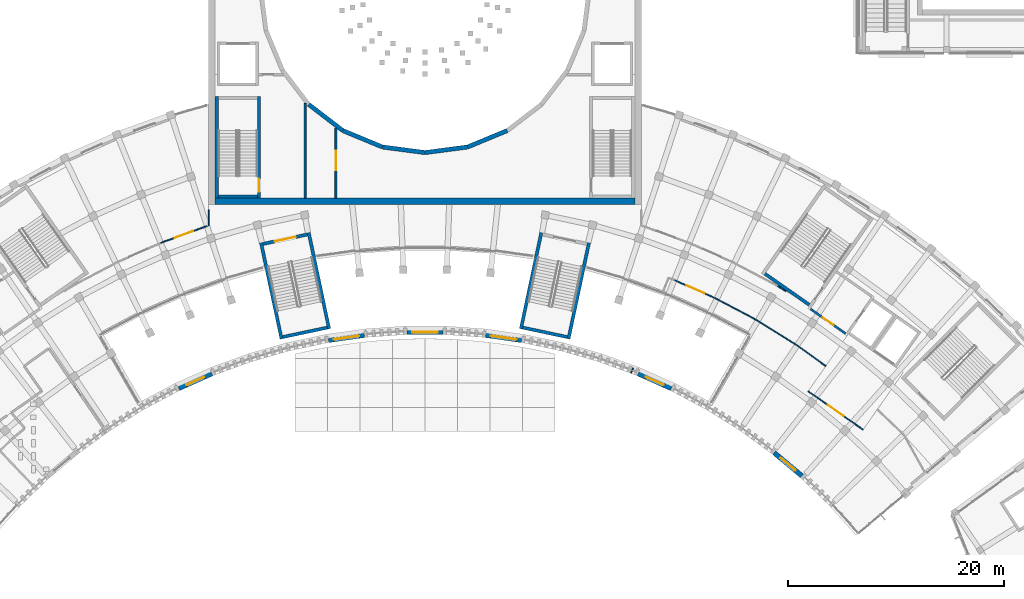
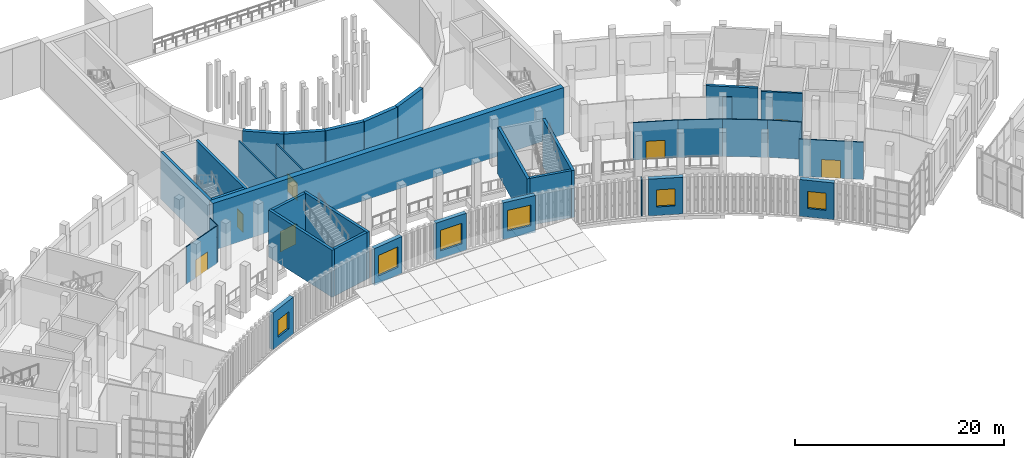
# One storey, part 55 of 112: 35 walls, 7 doors, 6 windows, 13 openings.
"""IFC4 building model written with IfcOpenShell, lengths in metres."""

from ifc_helpers import new_model, si_unit, direction, frame, frame_2d, origin, place, context, subcontext, project, spatial, rectangle, extrude, material, layer, layer_set, type_object, element, fill, save


model = new_model("IFC4")

# Units and contexts
model_context = context("Model", 3, precision=1e-05, world=origin(), true_north=direction((0.0, 1.0)))
body_context = subcontext(model_context, "Body", "Model", "MODEL_VIEW")
ifc_project = project(units=[si_unit("LENGTHUNIT", "METRE"), si_unit("AREAUNIT", "SQUARE_METRE"), si_unit("VOLUMEUNIT", "CUBIC_METRE"), si_unit("PLANEANGLEUNIT", "RADIAN"), si_unit("MASSUNIT", "GRAM", prefix="KILO")], contexts=[model_context])

# Site, building, storey
site_placement = place(None, origin())
site = spatial("IfcSite", under=ifc_project, at=site_placement, CompositionType="ELEMENT")
building_placement = place(site_placement, origin())
building = spatial("IfcBuilding", under=site, at=building_placement, Name="Lunette Opera House", CompositionType="ELEMENT")
storey_placement = place(building_placement, frame((0.0, 0.0, 6.0)))
storey = spatial("IfcBuildingStorey", under=building, at=storey_placement, Name="L01", CompositionType="ELEMENT", Elevation=6.0)

# Wall
ifc_material_1 = material(Name="Plastered clay blockwork", Category="masonry")
ifc_layer_1 = layer(ifc_material_1, 0.175048828125)
ifc_layer_set_1 = layer_set([ifc_layer_1], Name="Plastered clay blockwork")
wall_type_1 = type_object("IfcWallType", Name="ACOUSTIC BLOCK PARTITION 175", PredefinedType="PARTITIONING", material=ifc_layer_set_1)
wall_1_placement = place(storey_placement, frame((84.9150390625, 64.60009765625, 0.0), z_axis=(0.0, 0.0, 1.0), x_axis=(0.0, 1.0, 0.0)))
element("IfcWall", 1, at=wall_1_placement, inside=storey, type_object=wall_type_1, Name="Partition Auditorium Control Room", PredefinedType="PARTITIONING", context=body_context, shape_type="SweptSolid", body=[
    extrude(rectangle(XDim=8.7568359375, YDim=0.175048828125, at=frame_2d((4.37841796875, 0.0))), origin(), (0.0, 0.0, 1.0), 4.300048828125),
])

# Wall, opening, door
wall_2_placement = place(storey_placement, frame((87.763916015625, 64.60009765625, 0.0), z_axis=(0.0, 0.0, 1.0), x_axis=(0.0, 1.0, 0.0)))
wall_2 = element("IfcWall", 2, at=wall_2_placement, inside=storey, type_object=wall_type_1, Name="Partition Stalls Gallery Foyer Rear", PredefinedType="PARTITIONING", context=body_context, shape_type="SweptSolid", body=[
    extrude(rectangle(XDim=6.468994140625, YDim=0.175048828125, at=frame_2d((3.234375, 0.0))), origin(), (0.0, 0.0, 1.0), 4.300048828125),
])
opening_1_placement = place(wall_2_placement, frame((2.5869140625, 0.0, 0.0)))
opening_1 = element("IfcOpeningElement", 3, at=opening_1_placement, cuts=wall_2, Name="Opening AU-D3007", PredefinedType="OPENING", context=body_context, shape_type="SweptSolid", body=[
    extrude(rectangle(XDim=1.800048828125, YDim=2.10009765625, at=frame_2d((0.89990234375, 1.050048828125))), frame((0.0, 0.099609375, 0.0), z_axis=(0.0, -1.0, 0.0), x_axis=(1.0, 0.0, 0.0)), (0.0, 0.0, 1.0), 0.198974609375),
])
ifc_material_2 = material(Name="Timber", Category="wood")
door_type_1 = type_object("IfcDoorType", Name="SOUND LOCK DOOR 1800 X 2100", OperationType="DOUBLE_DOOR_SINGLE_SWING", PredefinedType="DOOR", material=ifc_material_2)
door_1_placement = place(opening_1_placement, origin())
door_1 = element("IfcDoor", 4, at=door_1_placement, inside=storey, type_object=door_type_1, Name="Side Boxes Lower door", OperationType="DOUBLE_DOOR_SINGLE_SWING", OverallHeight=2.10009765625, OverallWidth=1.800048828125, PredefinedType="DOOR", context=body_context, shape_type="SweptSolid", body=[
    extrude(rectangle(XDim=1.800048828125, YDim=2.10009765625, at=frame_2d((0.89990234375, 1.050048828125))), frame((0.0, 0.02490234375, 0.0), z_axis=(0.0, -1.0, 0.0), x_axis=(1.0, 0.0, 0.0)), (0.0, 0.0, 1.0), 0.050048828125),
])
fill(opening_1, door_1)

# Wall, opening, window
ifc_material_3 = material(Name="Clinker brick", Category="masonry")
ifc_layer_2 = layer(ifc_material_3, 0.449951171875)
ifc_layer_set_2 = layer_set([ifc_layer_2], Name="Clinker brick")
wall_type_2 = type_object("IfcWallType", Name="ENTRANCE PORTAL WALL 450", PredefinedType="SOLIDWALL", material=ifc_layer_set_2)
wall_3_placement = place(storey_placement, frame((73.240966796875, 47.0048828125, 0.0), z_axis=(0.0, 0.0, 1.0), x_axis=(0.913501326736, 0.406835748247, 0.0)))
wall_3 = element("IfcWall", 5, at=wall_3_placement, inside=storey, type_object=wall_type_2, Name="Entrance Portal Wall 450 PW4 L01", PredefinedType="SOLIDWALL", context=body_context, shape_type="SweptSolid", body=[
    extrude(rectangle(XDim=3.345458984375, YDim=0.449951171875, at=frame_2d((1.6728515625, 0.0))), origin(), (0.0, 0.0, 1.0), 4.300048828125),
])
opening_2_placement = place(wall_3_placement, frame((0.77294921875, 0.0, 1.0)))
opening_2 = element("IfcOpeningElement", 6, at=opening_2_placement, cuts=wall_3, Name="Opening FC-N2071", PredefinedType="OPENING", context=body_context, shape_type="SweptSolid", body=[
    extrude(rectangle(XDim=1.800048828125, YDim=2.0, at=frame_2d((0.89990234375, 1.0))), frame((0.0, 0.237060546875, 0.0), z_axis=(0.0, -1.0, 0.0), x_axis=(1.0, 0.0, 0.0)), (0.0, 0.0, 1.0), 0.473876953125),
])
ifc_material_4 = material(Name="Aluminium", Category="aluminium")
window_type_1 = type_object("IfcWindowType", Name="FANLIGHT 1800 X 2000", PartitioningType="SINGLE_PANEL", PredefinedType="WINDOW", material=ifc_material_4)
window_1_placement = place(opening_2_placement, origin())
window_1 = element("IfcWindow", 7, at=window_1_placement, inside=storey, type_object=window_type_1, Name="Fanlight 1800 X 2000 PW4 L01", OverallHeight=2.0, OverallWidth=1.800048828125, PartitioningType="SINGLE_PANEL", PredefinedType="WINDOW", context=body_context, shape_type="SweptSolid", body=[
    extrude(rectangle(XDim=1.800048828125, YDim=2.0, at=frame_2d((0.89990234375, 1.0))), frame((0.0, 0.030029296875, 0.0), z_axis=(0.0, -1.0, 0.0), x_axis=(1.0, 0.0, 0.0)), (0.0, 0.0, 1.0), 0.06005859375),
])
fill(opening_2, window_1)

wall_4_placement = place(storey_placement, frame((87.0791015625, 51.45703125, 0.0), z_axis=(0.0, 0.0, 1.0), x_axis=(0.9902493448, 0.13930626376, 0.0)))
wall_4 = element("IfcWall", 8, at=wall_4_placement, inside=storey, type_object=wall_type_2, Name="Entrance Portal Wall 450 PW2 L01", PredefinedType="SOLIDWALL", context=body_context, shape_type="SweptSolid", body=[
    extrude(rectangle(XDim=3.345703125, YDim=0.449951171875, at=frame_2d((1.6728515625, 0.0))), origin(), (0.0, 0.0, 1.0), 4.300048828125),
])
opening_3_placement = place(wall_4_placement, frame((0.472900390625, 0.0, 0.89990234375)))
opening_3 = element("IfcOpeningElement", 9, at=opening_3_placement, cuts=wall_4, Name="Opening FC-N2072", PredefinedType="OPENING", context=body_context, shape_type="SweptSolid", body=[
    extrude(rectangle(XDim=2.39990234375, YDim=2.39990234375, at=frame_2d((1.199951171875, 1.199951171875))), frame((0.0, 0.237060546875, 0.0), z_axis=(0.0, -1.0, 0.0), x_axis=(1.0, 0.0, 0.0)), (0.0, 0.0, 1.0), 0.473876953125),
])
ifc_material_5 = material(Name="Aluminium", Category="aluminium")
window_type_2 = type_object("IfcWindowType", Name="FANLIGHT 2400 X 2400", PartitioningType="SINGLE_PANEL", PredefinedType="WINDOW", material=ifc_material_5)
window_2_placement = place(opening_3_placement, origin())
window_2 = element("IfcWindow", 10, at=window_2_placement, inside=storey, type_object=window_type_2, Name="Fanlight 2400 X 2400 PW2 L01", OverallHeight=2.39990234375, OverallWidth=2.39990234375, PartitioningType="SINGLE_PANEL", PredefinedType="WINDOW", context=body_context, shape_type="SweptSolid", body=[
    extrude(rectangle(XDim=2.39990234375, YDim=2.39990234375, at=frame_2d((1.199951171875, 1.199951171875))), frame((0.0, 0.030029296875, 0.0), z_axis=(0.0, -1.0, 0.0), x_axis=(1.0, 0.0, 0.0)), (0.0, 0.0, 1.0), 0.06005859375),
])
fill(opening_3, window_2)

wall_5_placement = place(storey_placement, frame((94.326904296875, 52.197998046875, 0.0), z_axis=(0.0, 0.0, 1.0), x_axis=(1.0, 0.0, 0.0)))
wall_5 = element("IfcWall", 11, at=wall_5_placement, inside=storey, type_object=wall_type_2, Name="Entrance Portal Wall 450 PW1 L01", PredefinedType="SOLIDWALL", context=body_context, shape_type="SweptSolid", body=[
    extrude(rectangle(XDim=3.34619140625, YDim=0.449951171875, at=frame_2d((1.673095703125, 0.0))), origin(), (0.0, 0.0, 1.0), 4.300048828125),
])
opening_4_placement = place(wall_5_placement, frame((0.472900390625, 0.0, 0.89990234375)))
opening_4 = element("IfcOpeningElement", 12, at=opening_4_placement, cuts=wall_5, Name="Opening FC-N2073", PredefinedType="OPENING", context=body_context, shape_type="SweptSolid", body=[
    extrude(rectangle(XDim=2.39990234375, YDim=2.39990234375, at=frame_2d((1.199951171875, 1.199951171875))), frame((0.0, 0.237060546875, 0.0), z_axis=(0.0, -1.0, 0.0), x_axis=(1.0, 0.0, 0.0)), (0.0, 0.0, 1.0), 0.473876953125),
])
window_3_placement = place(opening_4_placement, origin())
window_3 = element("IfcWindow", 13, at=window_3_placement, inside=storey, type_object=window_type_2, Name="Fanlight 2400 X 2400 PW1 L01", OverallHeight=2.39990234375, OverallWidth=2.39990234375, PartitioningType="SINGLE_PANEL", PredefinedType="WINDOW", context=body_context, shape_type="SweptSolid", body=[
    extrude(rectangle(XDim=2.39990234375, YDim=2.39990234375, at=frame_2d((1.199951171875, 1.199951171875))), frame((0.0, 0.030029296875, 0.0), z_axis=(0.0, -1.0, 0.0), x_axis=(1.0, 0.0, 0.0)), (0.0, 0.0, 1.0), 0.06005859375),
])
fill(opening_4, window_3)

wall_6_placement = place(storey_placement, frame((101.60791015625, 51.923095703125, 0.0), z_axis=(0.0, 0.0, 1.0), x_axis=(0.9902493448, -0.13930626376, 0.0)))
wall_6 = element("IfcWall", 14, at=wall_6_placement, inside=storey, type_object=wall_type_2, Name="Entrance Portal Wall 450 PW3 L01", PredefinedType="SOLIDWALL", context=body_context, shape_type="SweptSolid", body=[
    extrude(rectangle(XDim=3.345703125, YDim=0.449951171875, at=frame_2d((1.6728515625, 0.0))), origin(), (0.0, 0.0, 1.0), 4.300048828125),
])
opening_5_placement = place(wall_6_placement, frame((0.472900390625, 0.0, 0.89990234375)))
opening_5 = element("IfcOpeningElement", 15, at=opening_5_placement, cuts=wall_6, Name="Opening FC-N2074", PredefinedType="OPENING", context=body_context, shape_type="SweptSolid", body=[
    extrude(rectangle(XDim=2.39990234375, YDim=2.39990234375, at=frame_2d((1.199951171875, 1.199951171875))), frame((0.0, 0.237060546875, 0.0), z_axis=(0.0, -1.0, 0.0), x_axis=(1.0, 0.0, 0.0)), (0.0, 0.0, 1.0), 0.473876953125),
])
window_4_placement = place(opening_5_placement, origin())
window_4 = element("IfcWindow", 16, at=window_4_placement, inside=storey, type_object=window_type_2, Name="Fanlight 2400 X 2400 PW3 L01", OverallHeight=2.39990234375, OverallWidth=2.39990234375, PartitioningType="SINGLE_PANEL", PredefinedType="WINDOW", context=body_context, shape_type="SweptSolid", body=[
    extrude(rectangle(XDim=2.39990234375, YDim=2.39990234375, at=frame_2d((1.199951171875, 1.199951171875))), frame((0.0, 0.030029296875, 0.0), z_axis=(0.0, -1.0, 0.0), x_axis=(1.0, 0.0, 0.0)), (0.0, 0.0, 1.0), 0.06005859375),
])
fill(opening_5, window_4)

wall_7_placement = place(storey_placement, frame((115.702880859375, 48.365966796875, 0.0), z_axis=(0.0, 0.0, 1.0), x_axis=(0.913501326736, -0.406835748247, 0.0)))
wall_7 = element("IfcWall", 17, at=wall_7_placement, inside=storey, type_object=wall_type_2, Name="Entrance Portal Wall 450 PW5 L01", PredefinedType="SOLIDWALL", context=body_context, shape_type="SweptSolid", body=[
    extrude(rectangle(XDim=3.345458984375, YDim=0.449951171875, at=frame_2d((1.6728515625, 0.0))), origin(), (0.0, 0.0, 1.0), 4.300048828125),
])
opening_6_placement = place(wall_7_placement, frame((0.77294921875, 0.0, 1.0)))
opening_6 = element("IfcOpeningElement", 18, at=opening_6_placement, cuts=wall_7, Name="Opening FC-N2075", PredefinedType="OPENING", context=body_context, shape_type="SweptSolid", body=[
    extrude(rectangle(XDim=1.800048828125, YDim=2.0, at=frame_2d((0.89990234375, 1.0))), frame((0.0, 0.237060546875, 0.0), z_axis=(0.0, -1.0, 0.0), x_axis=(1.0, 0.0, 0.0)), (0.0, 0.0, 1.0), 0.473876953125),
])
window_5_placement = place(opening_6_placement, origin())
window_5 = element("IfcWindow", 19, at=window_5_placement, inside=storey, type_object=window_type_1, Name="Fanlight 1800 X 2000 PW5 L01", OverallHeight=2.0, OverallWidth=1.800048828125, PartitioningType="SINGLE_PANEL", PredefinedType="WINDOW", context=body_context, shape_type="SweptSolid", body=[
    extrude(rectangle(XDim=1.800048828125, YDim=2.0, at=frame_2d((0.89990234375, 1.0))), frame((0.0, 0.030029296875, 0.0), z_axis=(0.0, -1.0, 0.0), x_axis=(1.0, 0.0, 0.0)), (0.0, 0.0, 1.0), 0.06005859375),
])
fill(opening_6, window_5)

wall_8_placement = place(storey_placement, frame((128.27099609375, 41.06103515625, 0.0), z_axis=(0.0, 0.0, 1.0), x_axis=(0.766111561279, -0.642707612896, 0.0)))
wall_8 = element("IfcWall", 20, at=wall_8_placement, inside=storey, type_object=wall_type_2, Name="Entrance Portal Wall 450 PW7 L01", PredefinedType="SOLIDWALL", context=body_context, shape_type="SweptSolid", body=[
    extrude(rectangle(XDim=3.345458984375, YDim=0.449951171875, at=frame_2d((1.6728515625, 0.0))), origin(), (0.0, 0.0, 1.0), 4.300048828125),
])
opening_7_placement = place(wall_8_placement, frame((0.77294921875, 0.0, 1.0)))
opening_7 = element("IfcOpeningElement", 21, at=opening_7_placement, cuts=wall_8, Name="Opening FC-N2076", PredefinedType="OPENING", context=body_context, shape_type="SweptSolid", body=[
    extrude(rectangle(XDim=1.800048828125, YDim=2.0, at=frame_2d((0.89990234375, 1.0))), frame((0.0, 0.237060546875, 0.0), z_axis=(0.0, -1.0, 0.0), x_axis=(1.0, 0.0, 0.0)), (0.0, 0.0, 1.0), 0.473876953125),
])
window_6_placement = place(opening_7_placement, origin())
window_6 = element("IfcWindow", 22, at=window_6_placement, inside=storey, type_object=window_type_1, Name="Fanlight 1800 X 2000 PW7 L01", OverallHeight=2.0, OverallWidth=1.800048828125, PartitioningType="SINGLE_PANEL", PredefinedType="WINDOW", context=body_context, shape_type="SweptSolid", body=[
    extrude(rectangle(XDim=1.800048828125, YDim=2.0, at=frame_2d((0.89990234375, 1.0))), frame((0.0, 0.030029296875, 0.0), z_axis=(0.0, -1.0, 0.0), x_axis=(1.0, 0.0, 0.0)), (0.0, 0.0, 1.0), 0.06005859375),
])
fill(opening_7, window_6)

# Wall, opening, door
ifc_material_6 = material(Name="Concrete C35/45", Category="concrete")
ifc_layer_3 = layer(ifc_material_6, 0.199951171875)
ifc_layer_set_3 = layer_set([ifc_layer_3], Name="Concrete C35/45")
wall_type_3 = type_object("IfcWallType", Name="LOBBY WALL 200", PredefinedType="PARTITIONING", material=ifc_layer_set_3)
wall_9_placement = place(storey_placement, frame((131.632080078125, 54.340087890625, 0.0), z_axis=(0.0, 0.0, 1.0), x_axis=(0.81911891796, -0.573623742744, 0.0)))
wall_9 = element("IfcWall", 23, at=wall_9_placement, inside=storey, type_object=wall_type_3, Name="FL1 lobby wall 1a", PredefinedType="PARTITIONING", context=body_context, shape_type="SweptSolid", body=[
    extrude(rectangle(XDim=3.958984375, YDim=0.199951171875, at=frame_2d((1.9794921875, 0.0))), origin(), (0.0, 0.0, 1.0), 5.280029296875),
])
opening_8_placement = place(wall_9_placement, frame((1.3798828125, 0.0, 0.0)))
opening_8 = element("IfcOpeningElement", 24, at=opening_8_placement, cuts=wall_9, Name="Opening FC-D7039", PredefinedType="OPENING", context=body_context, shape_type="SweptSolid", body=[
    extrude(rectangle(XDim=1.199951171875, YDim=2.10009765625, at=frame_2d((0.60009765625, 1.050048828125))), frame((0.0, 0.112060546875, 0.0), z_axis=(0.0, -1.0, 0.0), x_axis=(1.0, 0.0, 0.0)), (0.0, 0.0, 1.0), 0.223876953125),
])
ifc_material_7 = material(Name="Steel", Category="steel")
door_type_2 = type_object("IfcDoorType", Name="FIRE DOOR 1200 X 2100", OperationType="SINGLE_SWING_LEFT", PredefinedType="DOOR", material=ifc_material_7)
door_2_placement = place(opening_8_placement, origin())
door_2 = element("IfcDoor", 25, at=door_2_placement, inside=storey, type_object=door_type_2, Name="FL1 lobby door", OperationType="SINGLE_SWING_LEFT", OverallHeight=2.10009765625, OverallWidth=1.199951171875, PredefinedType="DOOR", context=body_context, shape_type="SweptSolid", body=[
    extrude(rectangle(XDim=1.199951171875, YDim=2.10009765625, at=frame_2d((0.60009765625, 1.050048828125))), frame((0.0, 0.02490234375, 0.0), z_axis=(0.0, -1.0, 0.0), x_axis=(1.0, 0.0, 0.0)), (0.0, 0.0, 1.0), 0.050048828125),
])
fill(opening_8, door_2)

# Walls
ifc_material_8 = material(Name="Concrete C35/45", Category="concrete")
ifc_layer_4 = layer(ifc_material_8, 0.300048828125)
ifc_layer_set_4 = layer_set([ifc_layer_4], Name="Concrete C35/45")
wall_type_4 = type_object("IfcWallType", Name="RC STAIR ENCLOSURE WALL 300", PredefinedType="SOLIDWALL", material=ifc_layer_set_4)
wall_10_placement = place(storey_placement, frame((82.85400390625, 51.7470703125, 0.0), z_axis=(0.0, 0.0, 1.0), x_axis=(0.978153236239, 0.207885176084, 0.0)))
element("IfcWall", 26, at=wall_10_placement, inside=storey, type_object=wall_type_4, Name="GS1 enclosure wall 1", PredefinedType="SOLIDWALL", context=body_context, shape_type="SweptSolid", body=[
    extrude(rectangle(XDim=4.19970703125, YDim=0.300048828125, at=frame_2d((2.099853515625, 0.0))), origin(), (0.0, 0.0, 1.0), 5.5),
])
wall_11_placement = place(storey_placement, frame((87.139892578125, 52.5048828125, 0.0), z_axis=(0.0, 0.0, 1.0), x_axis=(-0.207874476801, 0.978155510077, 0.0)))
element("IfcWall", 27, at=wall_11_placement, inside=storey, type_object=wall_type_4, Name="GS1 enclosure wall 2", PredefinedType="SOLIDWALL", context=body_context, shape_type="SweptSolid", body=[
    extrude(rectangle(XDim=9.100830078125, YDim=0.300048828125, at=frame_2d((4.55029296875, 0.0))), origin(), (0.0, 0.0, 1.0), 5.5),
])

# Wall, opening, door
wall_12_placement = place(storey_placement, frame((85.133056640625, 61.22900390625, 0.0), z_axis=(0.0, 0.0, 1.0), x_axis=(-0.978155748334, -0.207873355681, 0.0)))
wall_12 = element("IfcWall", 28, at=wall_12_placement, inside=storey, type_object=wall_type_4, Name="GS1 enclosure wall 3", PredefinedType="SOLIDWALL", context=body_context, shape_type="SweptSolid", body=[
    extrude(rectangle(XDim=4.199951171875, YDim=0.300048828125, at=frame_2d((2.10009765625, 0.0))), origin(), (0.0, 0.0, 1.0), 5.5),
])
opening_9_placement = place(wall_12_placement, frame((1.10009765625, 0.0, 0.0)))
opening_9 = element("IfcOpeningElement", 29, at=opening_9_placement, cuts=wall_12, Name="Opening FC-D7002", PredefinedType="OPENING", context=body_context, shape_type="SweptSolid", body=[
    extrude(rectangle(XDim=2.0, YDim=2.39990234375, at=frame_2d((1.0, 1.199951171875))), frame((0.0, 0.162109375, 0.0), z_axis=(0.0, -1.0, 0.0), x_axis=(1.0, 0.0, 0.0)), (0.0, 0.0, 1.0), 0.323974609375),
])
ifc_material_9 = material(Name="Glass", Category="glass")
door_type_3 = type_object("IfcDoorType", Name="GRAND STAIR DOOR 2000 X 2400", OperationType="DOUBLE_DOOR_SINGLE_SWING", PredefinedType="DOOR", material=ifc_material_9)
door_3_placement = place(opening_9_placement, origin())
door_3 = element("IfcDoor", 30, at=door_3_placement, inside=storey, type_object=door_type_3, Name="GS1 stair door", OperationType="DOUBLE_DOOR_SINGLE_SWING", OverallHeight=2.39990234375, OverallWidth=2.0, PredefinedType="DOOR", context=body_context, shape_type="SweptSolid", body=[
    extrude(rectangle(XDim=2.0, YDim=2.39990234375, at=frame_2d((1.0, 1.199951171875))), frame((0.0, 0.02490234375, 0.0), z_axis=(0.0, -1.0, 0.0), x_axis=(1.0, 0.0, 0.0)), (0.0, 0.0, 1.0), 0.050048828125),
])
fill(opening_9, door_3)

# Walls
wall_13_placement = place(storey_placement, frame((80.846923828125, 60.470947265625, 0.0), z_axis=(0.0, 0.0, 1.0), x_axis=(0.207905598736, -0.978148895626, 0.0)))
element("IfcWall", 31, at=wall_13_placement, inside=storey, type_object=wall_type_4, Name="GS1 enclosure wall 4", PredefinedType="SOLIDWALL", context=body_context, shape_type="SweptSolid", body=[
    extrude(rectangle(XDim=9.100830078125, YDim=0.300048828125, at=frame_2d((4.55029296875, 0.0))), origin(), (0.0, 0.0, 1.0), 5.5),
])
wall_14_placement = place(storey_placement, frame((105.0380859375, 52.6201171875, 0.0), z_axis=(0.0, 0.0, 1.0), x_axis=(0.978153236239, -0.207885176084, 0.0)))
element("IfcWall", 32, at=wall_14_placement, inside=storey, type_object=wall_type_4, Name="GS2 enclosure wall 1", PredefinedType="SOLIDWALL", context=body_context, shape_type="SweptSolid", body=[
    extrude(rectangle(XDim=4.19970703125, YDim=0.300048828125, at=frame_2d((2.099853515625, 0.0))), origin(), (0.0, 0.0, 1.0), 5.5),
])
for number, where, z_axis, x_axis, name in (
    (33, (109.260986328125, 51.569091796875, 0.0), (0.0, 0.0, 1.0), (0.207905598736, 0.978148895626, 0.0), "GS2 enclosure wall 2"),
    (34, (106.751953125, 61.406982421875, 0.0), (0.0, 0.0, 1.0), (-0.207874476801, -0.978155510077, 0.0), "GS2 enclosure wall 4"),
):
    element("IfcWall", number, at=place(storey_placement, frame(where, z_axis=z_axis, x_axis=x_axis)), inside=storey, type_object=wall_type_4, Name=name, PredefinedType="SOLIDWALL", context=body_context, shape_type="SweptSolid", body=[
        extrude(rectangle(XDim=9.100830078125, YDim=0.300048828125, at=frame_2d((4.55029296875, 0.0))), origin(), (0.0, 0.0, 1.0), 5.5),
    ])
wall_15_placement = place(storey_placement, frame((127.41796875, 57.595947265625, 0.0), z_axis=(0.0, 0.0, 1.0), x_axis=(0.819096538389, -0.573655698829, 0.0)))
element("IfcWall", 35, at=wall_15_placement, inside=storey, type_object=wall_type_4, Name="ST3 enclosure wall 1", PredefinedType="SOLIDWALL", context=body_context, shape_type="SweptSolid", body=[
    extrude(rectangle(XDim=4.999267578125, YDim=0.300048828125, at=frame_2d((2.49951171875, 0.0))), origin(), (0.0, 0.0, 1.0), 5.5),
])

# Wall, opening, door
wall_16_placement = place(storey_placement, frame((80.64990234375, 64.60009765625, 0.0), z_axis=(0.0, 0.0, 1.0), x_axis=(0.0, 1.0, 0.0)))
wall_16 = element("IfcWall", 36, at=wall_16_placement, inside=storey, type_object=wall_type_4, Name="ST7 enclosure wall 1", PredefinedType="SOLIDWALL", context=body_context, shape_type="SweptSolid", body=[
    extrude(rectangle(XDim=9.39990234375, YDim=0.300048828125, at=frame_2d((4.699951171875, 0.0))), origin(), (0.0, 0.0, 1.0), 5.5),
])
opening_10_placement = place(wall_16_placement, frame((0.56005859375, 0.0, 0.0)))
opening_10 = element("IfcOpeningElement", 37, at=opening_10_placement, cuts=wall_16, Name="Opening AU-D7009", PredefinedType="OPENING", context=body_context, shape_type="SweptSolid", body=[
    extrude(rectangle(XDim=1.199951171875, YDim=2.10009765625, at=frame_2d((0.60009765625, 1.050048828125))), frame((0.0, 0.162109375, 0.0), z_axis=(0.0, -1.0, 0.0), x_axis=(1.0, 0.0, 0.0)), (0.0, 0.0, 1.0), 0.323974609375),
])
door_4_placement = place(opening_10_placement, origin())
door_4 = element("IfcDoor", 38, at=door_4_placement, inside=storey, type_object=door_type_2, Name="ST7 stair door", OperationType="SINGLE_SWING_LEFT", OverallHeight=2.10009765625, OverallWidth=1.199951171875, PredefinedType="DOOR", context=body_context, shape_type="SweptSolid", body=[
    extrude(rectangle(XDim=1.199951171875, YDim=2.10009765625, at=frame_2d((0.60009765625, 1.050048828125))), frame((0.0, 0.02490234375, 0.0), z_axis=(0.0, -1.0, 0.0), x_axis=(1.0, 0.0, 0.0)), (0.0, 0.0, 1.0), 0.050048828125),
])
fill(opening_10, door_4)

# Walls
wall_17_placement = place(storey_placement, frame((76.75, 74.0, 0.0), z_axis=(0.0, 0.0, 1.0), x_axis=(0.0, -1.0, 0.0)))
element("IfcWall", 39, at=wall_17_placement, inside=storey, type_object=wall_type_4, Name="ST7 enclosure wall 3", PredefinedType="SOLIDWALL", context=body_context, shape_type="SweptSolid", body=[
    extrude(rectangle(XDim=9.39990234375, YDim=0.300048828125, at=frame_2d((4.699951171875, 0.0))), origin(), (0.0, 0.0, 1.0), 5.5),
])
wall_18_placement = place(storey_placement, frame((76.89990234375, 64.75, 0.0), z_axis=(0.0, 0.0, 1.0), x_axis=(1.0, 0.0, 0.0)))
element("IfcWall", 40, at=wall_18_placement, inside=storey, type_object=wall_type_4, Name="ST7 enclosure wall 4", PredefinedType="SOLIDWALL", context=body_context, shape_type="SweptSolid", body=[
    extrude(rectangle(XDim=3.60009765625, YDim=0.300048828125, at=frame_2d((1.800048828125, 0.0))), origin(), (0.0, 0.0, 1.0), 5.5),
])
ifc_material_10 = material(Name="Concrete C35/45", Category="concrete")
ifc_layer_5 = layer(ifc_material_10, 0.39990234375)
ifc_layer_set_5 = layer_set([ifc_layer_5], Name="Concrete C35/45")
wall_type_5 = type_object("IfcWallType", Name="RC WALL 400", PredefinedType="SHEAR", material=ifc_layer_set_5)
wall_19_placement = place(storey_placement, frame((85.25, 73.25, 0.0), z_axis=(0.0, 0.0, 1.0), x_axis=(0.793501388766, -0.608568439888, 0.0)))
element("IfcWall", 41, at=wall_19_placement, inside=storey, type_object=wall_type_5, Name="wall-AU-L01-HW05", PredefinedType="SHEAR", context=body_context, shape_type="SweptSolid", body=[
    extrude(rectangle(XDim=3.968505859375, YDim=0.39990234375, at=frame_2d((1.984375, 0.0))), origin(), (0.0, 0.0, 1.0), 5.5),
])
wall_20_placement = place(storey_placement, frame((88.39892578125, 70.8349609375, 0.0), z_axis=(0.0, 0.0, 1.0), x_axis=(0.923868391388, -0.38271032831, 0.0)))
element("IfcWall", 42, at=wall_20_placement, inside=storey, type_object=wall_type_5, Name="wall-AU-L01-HW06", PredefinedType="SHEAR", context=body_context, shape_type="SweptSolid", body=[
    extrude(rectangle(XDim=3.96923828125, YDim=0.39990234375, at=frame_2d((1.984619140625, 0.0))), origin(), (0.0, 0.0, 1.0), 5.5),
])
for number, where, z_axis, x_axis, name in (
    (43, (92.06591796875, 69.31591796875, 0.0), (0.0, 0.0, 1.0), (0.991448430824, -0.13049907669, 0.0), "wall-AU-L01-HW07"),
    (44, (96.0, 68.798095703125, 0.0), (0.0, 0.0, 1.0), (0.991448430824, 0.13049907669, 0.0), "wall-AU-L01-HW08"),
):
    element("IfcWall", number, at=place(storey_placement, frame(where, z_axis=z_axis, x_axis=x_axis)), inside=storey, type_object=wall_type_5, Name=name, PredefinedType="SHEAR", context=body_context, shape_type="SweptSolid", body=[
        extrude(rectangle(XDim=3.968017578125, YDim=0.39990234375, at=frame_2d((1.98388671875, 0.0))), origin(), (0.0, 0.0, 1.0), 5.5),
    ])
wall_21_placement = place(storey_placement, frame((99.93408203125, 69.31591796875, 0.0), z_axis=(0.0, 0.0, 1.0), x_axis=(0.923868391388, 0.38271032831, 0.0)))
element("IfcWall", 45, at=wall_21_placement, inside=storey, type_object=wall_type_5, Name="wall-AU-L01-HW09", PredefinedType="SHEAR", context=body_context, shape_type="SweptSolid", body=[
    extrude(rectangle(XDim=3.96923828125, YDim=0.39990234375, at=frame_2d((1.984619140625, 0.0))), origin(), (0.0, 0.0, 1.0), 5.5),
])
ifc_material_11 = material(Name="Concrete C35/45", Category="concrete")
ifc_layer_6 = layer(ifc_material_11, 0.60009765625)
ifc_layer_set_6 = layer_set([ifc_layer_6], Name="Concrete C35/45")
wall_type_6 = type_object("IfcWallType", Name="RC WALL 600", PredefinedType="SHEAR", material=ifc_layer_set_6)
wall_22_placement = place(storey_placement, frame((76.60009765625, 64.300048828125, 0.0), z_axis=(0.0, 0.0, 1.0), x_axis=(1.0, 0.0, 0.0)))
element("IfcWall", 46, at=wall_22_placement, inside=storey, type_object=wall_type_6, Name="wall-AU-L01-WS", PredefinedType="SHEAR", context=body_context, shape_type="SweptSolid", body=[
    extrude(rectangle(XDim=38.7998046875, YDim=0.60009765625, at=frame_2d((19.39990234375, 0.0))), origin(), (0.0, 0.0, 1.0), 5.5),
])

# Wall, opening, door
ifc_material_12 = material(Name="Gypsum board on steel studs", Category="steel")
ifc_layer_7 = layer(ifc_material_12, 0.10009765625)
ifc_layer_set_7 = layer_set([ifc_layer_7], Name="Gypsum board on steel studs")
wall_type_7 = type_object("IfcWallType", Name="STUD PARTITION 100", PredefinedType="PARTITIONING", material=ifc_layer_set_7)
wall_23_placement = place(storey_placement, frame((131.4140625, 46.739990234375, 0.0), z_axis=(0.0, 0.0, 1.0), x_axis=(0.81912644488, -0.573612994359, 0.0)))
wall_23 = element("IfcWall", 47, at=wall_23_placement, inside=storey, type_object=wall_type_7, Name="Partition Open Lift Lobby L01 East", PredefinedType="PARTITIONING", context=body_context, shape_type="SweptSolid", body=[
    extrude(rectangle(XDim=6.19921875, YDim=0.10009765625, at=frame_2d((3.099609375, 0.0))), origin(), (0.0, 0.0, 1.0), 4.3798828125),
])
opening_11_placement = place(wall_23_placement, frame((2.199951171875, 0.0, 0.0)))
opening_11 = element("IfcOpeningElement", 48, at=opening_11_placement, cuts=wall_23, Name="Opening FC-D3025", PredefinedType="OPENING", context=body_context, shape_type="SweptSolid", body=[
    extrude(rectangle(XDim=1.800048828125, YDim=2.10009765625, at=frame_2d((0.89990234375, 1.050048828125))), frame((0.0, 0.06201171875, 0.0), z_axis=(0.0, -1.0, 0.0), x_axis=(1.0, 0.0, 0.0)), (0.0, 0.0, 1.0), 0.1240234375),
])
ifc_material_13 = material(Name="Timber", Category="wood")
door_type_4 = type_object("IfcDoorType", Name="DOUBLE FLUSH DOOR 1800 X 2100", OperationType="DOUBLE_DOOR_SINGLE_SWING", PredefinedType="DOOR", material=ifc_material_13)
door_5_placement = place(opening_11_placement, origin())
door_5 = element("IfcDoor", 49, at=door_5_placement, inside=storey, type_object=door_type_4, Name="Stalls Bar door", OperationType="DOUBLE_DOOR_SINGLE_SWING", OverallHeight=2.10009765625, OverallWidth=1.800048828125, PredefinedType="DOOR", context=body_context, shape_type="SweptSolid", body=[
    extrude(rectangle(XDim=1.800048828125, YDim=2.10009765625, at=frame_2d((0.89990234375, 1.050048828125))), frame((0.0, 0.02490234375, 0.0), z_axis=(0.0, -1.0, 0.0), x_axis=(1.0, 0.0, 0.0)), (0.0, 0.0, 1.0), 0.050048828125),
])
fill(opening_11, door_5)

wall_24_placement = place(storey_placement, frame((75.85205078125, 62.009033203125, 0.0), z_axis=(0.0, 0.0, 1.0), x_axis=(-0.939639825715, -0.342165161771, 0.0)))
wall_24 = element("IfcWall", 50, at=wall_24_placement, inside=storey, type_object=wall_type_7, Name="Partition Promenade Foyer L01", PredefinedType="PARTITIONING", context=body_context, shape_type="SweptSolid", body=[
    extrude(rectangle(XDim=4.55078125, YDim=0.10009765625, at=frame_2d((2.275390625, 0.0))), origin(), (0.0, 0.0, 1.0), 4.3798828125),
])
opening_12_placement = place(wall_24_placement, frame((1.375, 0.0, 0.0)))
opening_12 = element("IfcOpeningElement", 51, at=opening_12_placement, cuts=wall_24, Name="Opening FC-D3029", PredefinedType="OPENING", context=body_context, shape_type="SweptSolid", body=[
    extrude(rectangle(XDim=1.800048828125, YDim=2.10009765625, at=frame_2d((0.89990234375, 1.050048828125))), frame((0.0, 0.06201171875, 0.0), z_axis=(0.0, -1.0, 0.0), x_axis=(1.0, 0.0, 0.0)), (0.0, 0.0, 1.0), 0.1240234375),
])
door_6_placement = place(opening_12_placement, origin())
door_6 = element("IfcDoor", 52, at=door_6_placement, inside=storey, type_object=door_type_4, Name="Management Rooms door", OperationType="DOUBLE_DOOR_SINGLE_SWING", OverallHeight=2.10009765625, OverallWidth=1.800048828125, PredefinedType="DOOR", context=body_context, shape_type="SweptSolid", body=[
    extrude(rectangle(XDim=1.800048828125, YDim=2.10009765625, at=frame_2d((0.89990234375, 1.050048828125))), frame((0.0, 0.02490234375, 0.0), z_axis=(0.0, -1.0, 0.0), x_axis=(1.0, 0.0, 0.0)), (0.0, 0.0, 1.0), 0.050048828125),
])
fill(opening_12, door_6)

wall_25_placement = place(storey_placement, frame((119.0380859375, 57.02197265625, 0.0), z_axis=(0.0, 0.0, 1.0), x_axis=(0.913548703363, -0.406729352991, 0.0)))
wall_25 = element("IfcWall", 53, at=wall_25_placement, inside=storey, type_object=wall_type_7, Name="Partition Promenade Foyer L01", PredefinedType="PARTITIONING", context=body_context, shape_type="SweptSolid", body=[
    extrude(rectangle(XDim=4.29296875, YDim=0.10009765625, at=frame_2d((2.146484375, 0.0))), origin(), (0.0, 0.0, 1.0), 4.3798828125),
])
opening_13_placement = place(wall_25_placement, frame((1.2470703125, 0.0, 0.0)))
opening_13 = element("IfcOpeningElement", 54, at=opening_13_placement, cuts=wall_25, Name="Opening FC-D3024", PredefinedType="OPENING", context=body_context, shape_type="SweptSolid", body=[
    extrude(rectangle(XDim=1.800048828125, YDim=2.10009765625, at=frame_2d((0.89990234375, 1.050048828125))), frame((0.0, 0.06201171875, 0.0), z_axis=(0.0, -1.0, 0.0), x_axis=(1.0, 0.0, 0.0)), (0.0, 0.0, 1.0), 0.1240234375),
])
door_7_placement = place(opening_13_placement, origin())
door_7 = element("IfcDoor", 55, at=door_7_placement, inside=storey, type_object=door_type_4, Name="Stalls Bar door", OperationType="DOUBLE_DOOR_SINGLE_SWING", OverallHeight=2.10009765625, OverallWidth=1.800048828125, PredefinedType="DOOR", context=body_context, shape_type="SweptSolid", body=[
    extrude(rectangle(XDim=1.800048828125, YDim=2.10009765625, at=frame_2d((0.89990234375, 1.050048828125))), frame((0.0, 0.02490234375, 0.0), z_axis=(0.0, -1.0, 0.0), x_axis=(1.0, 0.0, 0.0)), (0.0, 0.0, 1.0), 0.050048828125),
])
fill(opening_13, door_7)

# Walls
for number, where, z_axis, x_axis, name in (
    (56, (126.75, 53.260986328125, 0.0), (0.0, 0.0, 1.0), (0.848001499411, -0.52999382732, 0.0), "Partition Promenade Foyer L01"),
    (57, (122.9599609375, 55.27587890625, 0.0), (0.0, 0.0, 1.0), (0.882977232612, -0.469415814271, 0.0), "Partition Promenade Foyer L01"),
):
    element("IfcWall", number, at=place(storey_placement, frame(where, z_axis=z_axis, x_axis=x_axis)), inside=storey, type_object=wall_type_7, Name=name, PredefinedType="PARTITIONING", context=body_context, shape_type="SweptSolid", body=[
        extrude(rectangle(XDim=4.292236328125, YDim=0.10009765625, at=frame_2d((2.14599609375, 0.0))), origin(), (0.0, 0.0, 1.0), 4.3798828125),
    ])
wall_26_placement = place(storey_placement, frame((130.389892578125, 50.986083984375, 0.0), z_axis=(0.0, 0.0, 1.0), x_axis=(0.808971364307, -0.587848051567, 0.0)))
element("IfcWall", 58, at=wall_26_placement, inside=storey, type_object=wall_type_7, Name="Partition Promenade Foyer L01", PredefinedType="PARTITIONING", context=body_context, shape_type="SweptSolid", body=[
    extrude(rectangle(XDim=3.274658203125, YDim=0.10009765625, at=frame_2d((1.63720703125, 0.0))), origin(), (0.0, 0.0, 1.0), 4.3798828125),
])
wall_27_placement = place(storey_placement, frame((76.0, 63.5, 0.0), z_axis=(0.0, 0.0, 1.0), x_axis=(0.0, -1.0, 0.0)))
element("IfcWall", 59, at=wall_27_placement, inside=storey, type_object=wall_type_7, Name="Partition Promenade Foyer L01", PredefinedType="PARTITIONING", context=body_context, shape_type="SweptSolid", body=[
    extrude(rectangle(XDim=1.448974609375, YDim=0.10009765625, at=frame_2d((0.724609375, 0.0))), origin(), (0.0, 0.0, 1.0), 4.3798828125),
])
wall_28_placement = place(storey_placement, frame((129.381103515625, 55.97705078125, 0.0), z_axis=(0.0, 0.0, 1.0), x_axis=(-0.848042980139, 0.529927451484, 0.0)))
element("IfcWall", 60, at=wall_28_placement, inside=storey, type_object=wall_type_7, Name="Partition Promenade Foyer L01", PredefinedType="PARTITIONING", context=body_context, shape_type="SweptSolid", body=[
    extrude(rectangle(XDim=0.9208984375, YDim=0.10009765625, at=frame_2d((0.46044921875, 0.0))), origin(), (0.0, 0.0, 1.0), 4.3798828125),
])
wall_29_placement = place(storey_placement, frame((115.0439453125, 48.426025390625, 0.0), z_axis=(0.0, 0.0, 1.0), x_axis=(0.366332317137, 0.930484085528, 0.0)))
element("IfcWall", 61, at=wall_29_placement, inside=storey, type_object=wall_type_7, Name="Partition Promenade Foyer L01", PredefinedType="PARTITIONING", context=body_context, shape_type="SweptSolid", body=[
    extrude(rectangle(XDim=0.499755859375, YDim=0.10009765625, at=frame_2d((0.25, 0.0))), origin(), (0.0, 0.0, 1.0), 4.300048828125),
])

save(model, "model.ifc")
